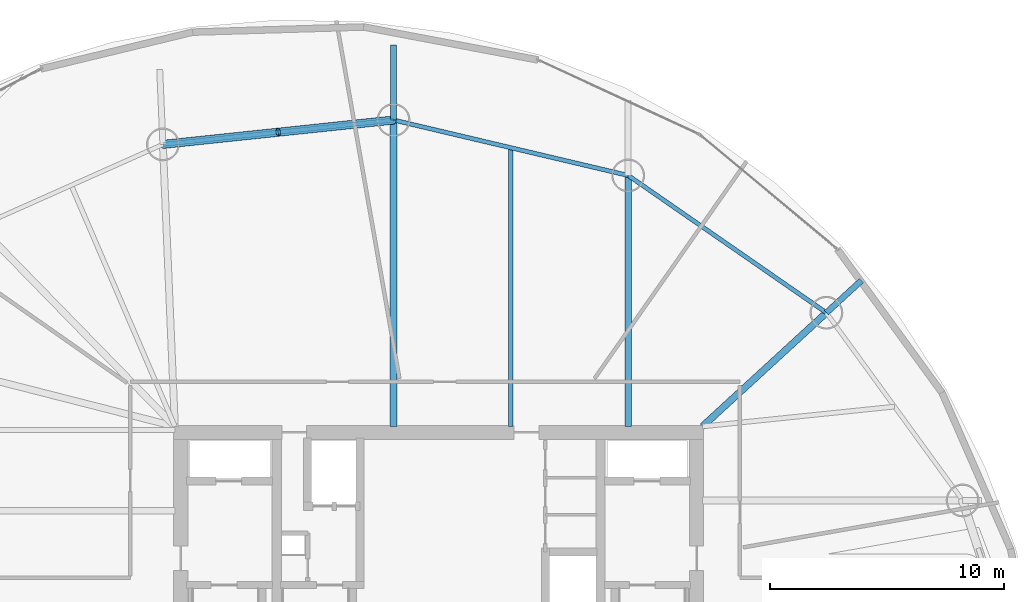
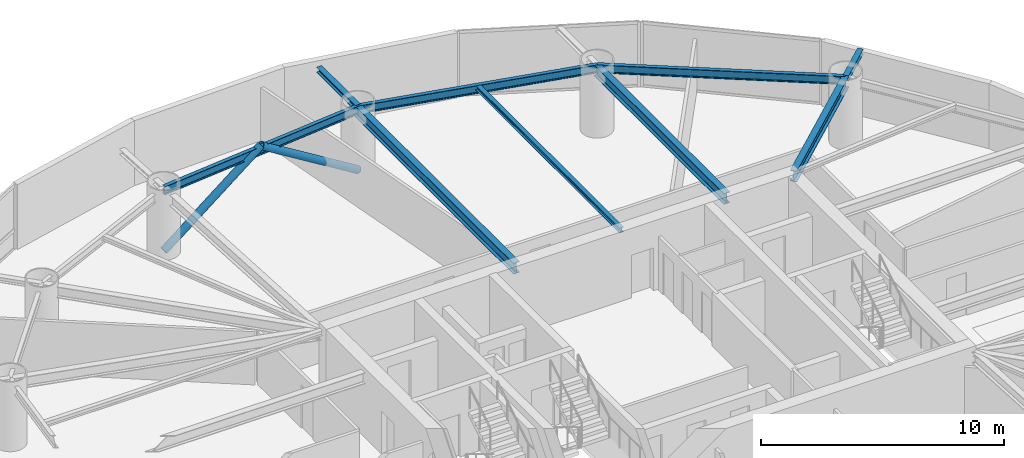
# One storey, part 15 of 23: 9 beams, 2 members.
"""IFC4 building model written with IfcOpenShell, lengths in metres."""

import ifcopenshell
import ifcopenshell.guid

model = None  # the IFC model being written
_history = None  # IfcOwnerHistory: only IFC2X3 demands one
_inside = {}  # id of a spatial element -> (the spatial element, [elements in it])
_under = {}  # id of a project, library or spatial element -> (it, [spatial elements below it])
_declared = {}  # id of a project -> (the project, [libraries it declares])
_typed = {}  # id of a type object -> (the type object, [elements of that type])
_made_of = {}  # id of a material, layer set ... -> (it, [elements and type objects made of it])


def new_model(schema):
    """Start an empty IFC model of exactly this schema.

    Asked for "IFC4X3", IfcOpenShell would pick the latest addendum, in which some entities
    have other attributes; the version numbers below select the first issue.
    IFC2X3 requires an IfcOwnerHistory on every rooted entity: one is made here for all.
    """
    global model, _history
    if schema == "IFC4X3":
        model = ifcopenshell.file(schema_version=(4, 3, 0, 0))
    else:
        model = ifcopenshell.file(schema=schema)
    _inside.clear()
    _under.clear()
    _declared.clear()
    _typed.clear()
    _made_of.clear()
    _history = None
    if model.schema == "IFC2X3":
        org = make("IfcOrganization", Name="unknown")
        user = make(
            "IfcPersonAndOrganization",
            ThePerson=make("IfcPerson", FamilyName="unknown"),
            TheOrganization=org,
        )
        app = make(
            "IfcApplication",
            ApplicationDeveloper=org,
            Version="unknown",
            ApplicationFullName="unknown",
            ApplicationIdentifier="unknown",
        )
        _history = make(
            "IfcOwnerHistory",
            OwningUser=user,
            OwningApplication=app,
            ChangeAction="ADDED",
            CreationDate=0,
        )
    return model


def make(cls, **values):
    """One entity of the class cls with the attributes given. An attribute that is None is left unset."""
    return model.create_entity(
        cls, **{name: value for name, value in values.items() if value is not None}
    )


def rooted(cls, **values):
    """An entity with a GlobalId (a new one), such as an element, a storey or a relation."""
    return make(cls, GlobalId=ifcopenshell.guid.new(), OwnerHistory=_history, **values)


def si_unit(unit_type, name, prefix=None):
    """IfcSIUnit, for example si_unit("LENGTHUNIT", "METRE", prefix="MILLI")."""
    return make("IfcSIUnit", UnitType=unit_type, Prefix=prefix, Name=name)


def assignment(units):
    """IfcUnitAssignment: the units of a project."""
    return None if units is None else make("IfcUnitAssignment", Units=units)


def point(xyz):
    """IfcCartesianPoint."""
    return None if xyz is None else make("IfcCartesianPoint", Coordinates=xyz)


def direction(xyz):
    """IfcDirection."""
    return None if xyz is None else make("IfcDirection", DirectionRatios=xyz)


def frame(location, z_axis=None, x_axis=None):
    """IfcAxis2Placement3D, a coordinate frame: its origin and axes. An axis left out is left unset."""
    return make(
        "IfcAxis2Placement3D",
        Location=point(location),
        Axis=direction(z_axis),
        RefDirection=direction(x_axis),
    )


def frame_2d(location, x_axis=None):
    """IfcAxis2Placement2D, a coordinate frame in the plane: its origin and x axis."""
    return make(
        "IfcAxis2Placement2D", Location=point(location), RefDirection=direction(x_axis)
    )


def origin():
    """The frame at (0, 0, 0) with its axes left unset."""
    return frame((0.0, 0.0, 0.0))


def origin_2d():
    """The frame at (0, 0) in the plane with its x axis left unset."""
    return frame_2d((0.0, 0.0))


def place(relative_to, where):
    """IfcLocalPlacement: puts the frame where relative to a parent placement (None: the world)."""
    return make(
        "IfcLocalPlacement", PlacementRelTo=relative_to, RelativePlacement=where
    )


def context(
    kind, dimensions, precision=None, world=None, true_north=None, identifier=None
):
    """IfcGeometricRepresentationContext, for example the 3D "Model" context."""
    return make(
        "IfcGeometricRepresentationContext",
        ContextIdentifier=identifier,
        ContextType=kind,
        CoordinateSpaceDimension=dimensions,
        Precision=precision,
        WorldCoordinateSystem=world,
        TrueNorth=true_north,
    )


def subcontext(parent, identifier, kind, view, scale=None):
    """IfcGeometricRepresentationSubContext, for example "Body" below "Model"."""
    return make(
        "IfcGeometricRepresentationSubContext",
        ContextIdentifier=identifier,
        ContextType=kind,
        ParentContext=parent,
        TargetScale=scale,
        TargetView=view,
    )


def project(units=None, contexts=None):
    """IfcProject with its units and contexts."""
    return rooted(
        "IfcProject",
        Name="project",
        RepresentationContexts=contexts,
        UnitsInContext=assignment(units),
    )


def spatial(cls, under=None, at=None, **own):
    """A site, building, storey or space (cls), placed at a placement, below another one or the project."""
    s = rooted(cls, ObjectPlacement=at, **own)
    if under is not None:
        _under.setdefault(under.id(), (under, []))[1].append(s)
    return s


def profile(cls, at=None, kind="AREA", **sizes):
    """A parametric profile (cls). Its sizes go by their IFC names, for example OverallWidth=200.0."""
    return make(cls, ProfileType=kind, Position=at, **sizes)


def hollow_circle(**sizes):
    """IfcCircleHollowProfileDef."""
    return profile("IfcCircleHollowProfileDef", **sizes)


def i_section(**sizes):
    """IfcIShapeProfileDef."""
    return profile("IfcIShapeProfileDef", **sizes)


def extrude(swept, where, along, depth):
    """IfcExtrudedAreaSolid: the profile swept, set in the frame where, extruded along a direction by depth."""
    return make(
        "IfcExtrudedAreaSolid",
        SweptArea=swept,
        Position=where,
        ExtrudedDirection=direction(along),
        Depth=depth,
    )


def shape(context_of_items, identifier, shape_type, items):
    """IfcShapeRepresentation: the items that make up one representation, for example the "Body"."""
    return make(
        "IfcShapeRepresentation",
        ContextOfItems=context_of_items,
        RepresentationIdentifier=identifier,
        RepresentationType=shape_type,
        Items=items,
    )


def material(Name=None, Category=None):
    """IfcMaterial."""
    return make("IfcMaterial", Name=Name, Category=Category)


def material_profile(
    of_material, cross_section, Name=None, Category=None, Priority=None
):
    """IfcMaterialProfile: a cross section and its material."""
    return make(
        "IfcMaterialProfile",
        Name=Name,
        Material=of_material,
        Profile=cross_section,
        Priority=Priority,
        Category=Category,
    )


def profile_set(profiles, Name=None, composite=None):
    """IfcMaterialProfileSet."""
    return make(
        "IfcMaterialProfileSet",
        Name=Name,
        MaterialProfiles=profiles,
        CompositeProfile=composite,
    )


def made_of(thing, what):
    """Note that an element or type object is made of a material, layer set ...; save() writes the relation."""
    if what is not None:
        _made_of.setdefault(what.id(), (what, []))[1].append(thing)
    return thing


def type_object(cls, material=None, **own):
    """A type object (cls), such as IfcWallType, which elements share."""
    return made_of(rooted(cls, **own), material)


def element(
    cls,
    number,
    at=None,
    inside=None,
    cuts=None,
    type_object=None,
    material=None,
    context=None,
    identifier="Body",
    shape_type=None,
    held_by="IfcProductDefinitionShape",
    body=None,
    shapes=None,
    **own,
):
    """One element of the class cls, such as IfcWall. Its Tag is "e" and its number.

    at: its placement. inside: the storey or other place that contains it. cuts: it is an
    opening in that element (IfcRelVoidsElement). A single representation is given by context,
    identifier, shape_type and body (its items); several are given by shapes. held_by: the class
    of the entity that holds the representations. save() writes the other relations.
    """
    e = rooted(cls, Tag="e%d" % number, ObjectPlacement=at, **own)
    if body is not None:
        shapes = [shape(context, identifier, shape_type, body)]
    if shapes is not None:
        e.Representation = make(held_by, Representations=shapes)
    if inside is not None:
        _inside.setdefault(inside.id(), (inside, []))[1].append(e)
    if cuts is not None:
        rooted(
            "IfcRelVoidsElement", RelatingBuildingElement=cuts, RelatedOpeningElement=e
        )
    if type_object is not None:
        _typed.setdefault(type_object.id(), (type_object, []))[1].append(e)
    return made_of(e, material)


def aggregate(whole, parts):
    """IfcRelAggregates: a whole, such as a stair, and the parts it consists of."""
    return rooted("IfcRelAggregates", RelatingObject=whole, RelatedObjects=parts)


def save(model, path):
    """Write the relations noted so far, then the file.

    IfcRelAggregates (storeys below a building ...), IfcRelContainedInSpatialStructure (elements
    in a storey), IfcRelDefinesByType, IfcRelAssociatesMaterial and IfcRelDeclares: one each for
    every whole, place, type object, material and project.
    """
    for whole, parts in _under.values():
        aggregate(whole, parts)
    for where, things in _inside.values():
        rooted(
            "IfcRelContainedInSpatialStructure",
            RelatedElements=things,
            RelatingStructure=where,
        )
    for kind, things in _typed.values():
        rooted("IfcRelDefinesByType", RelatedObjects=things, RelatingType=kind)
    for what, things in _made_of.values():
        rooted("IfcRelAssociatesMaterial", RelatedObjects=things, RelatingMaterial=what)
    for by, libraries in _declared.values():
        rooted("IfcRelDeclares", RelatingContext=by, RelatedDefinitions=libraries)
    model.write(path)


model = new_model("IFC4")

# Units and contexts
model_context = context("Model", 3, precision=1e-05, world=origin(), true_north=direction((0.0, 1.0)))
body_context = subcontext(model_context, "Body", "Model", "MODEL_VIEW")
ifc_project = project(units=[si_unit("LENGTHUNIT", "METRE"), si_unit("AREAUNIT", "SQUARE_METRE"), si_unit("VOLUMEUNIT", "CUBIC_METRE"), si_unit("PLANEANGLEUNIT", "RADIAN"), si_unit("MASSUNIT", "GRAM", prefix="KILO")], contexts=[model_context])

# Site, building, storey
site_placement = place(None, origin())
site = spatial("IfcSite", under=ifc_project, at=site_placement, CompositionType="ELEMENT")
building_placement = place(site_placement, origin())
building = spatial("IfcBuilding", under=site, at=building_placement, Name="Bramvorn Convention Spire", CompositionType="ELEMENT")
storey_placement = place(building_placement, frame((0.0, 0.0, 158.800048828125)))
storey = spatial("IfcBuildingStorey", under=building, at=storey_placement, Name="L40", CompositionType="ELEMENT", Elevation=158.800048828125)

# Beams
ifc_material = material(Name="Steel CSA G40.21 Grade 350 (350W)", Category="steel")
ifc_material_profile_1 = material_profile(ifc_material, i_section(OverallWidth=0.201904296875, OverallDepth=0.2470703125, WebThickness=0.00732421875, FlangeThickness=0.010986328125, FilletRadius=0.011962890625, at=origin_2d()))
ifc_profile_set_1 = profile_set([ifc_material_profile_1], Name="Steel CSA G40.21 Grade 350 (350W) - W250X49")
beam_type_1 = type_object("IfcBeamType", Name="BM-W250X49", PredefinedType="JOIST", material=ifc_profile_set_1)
beam_1_placement = place(storey_placement, frame((41.079345703125, 33.449951171875, 3.136474609375), z_axis=(0.0, 1.0, 0.0), x_axis=(-1.0, 0.0, 0.0)))
element("IfcBeam", 1, at=beam_1_placement, inside=storey, type_object=beam_type_1, Name="L40 composite floor joist 05", PredefinedType="JOIST", context=body_context, shape_type="SweptSolid", body=[
    extrude(i_section(OverallWidth=0.201904296875, OverallDepth=0.2470703125, WebThickness=0.00732421875, FlangeThickness=0.010986328125, FilletRadius=0.011962890625, at=origin_2d()), origin(), (0.0, 0.0, 1.0), 11.8857421875),
])
ifc_material_profile_2 = material_profile(ifc_material, i_section(OverallWidth=0.25390625, OverallDepth=0.2529296875, WebThickness=0.008544921875, FlangeThickness=0.01416015625, FilletRadius=0.011962890625, at=origin_2d()))
ifc_profile_set_2 = profile_set([ifc_material_profile_2], Name="Steel CSA G40.21 Grade 350 (350W) - W250X73")
beam_type_2 = type_object("IfcBeamType", Name="BM-W250X73", PredefinedType="BEAM", material=ifc_profile_set_2)
beam_2_placement = place(storey_placement, frame((54.534912109375, 38.299072265625, 3.133544921875), z_axis=(0.736839360855, 0.676067863675, 0.0), x_axis=(-0.676067863675, 0.736839360855, 0.0)))
element("IfcBeam", 2, at=beam_2_placement, inside=storey, type_object=beam_type_2, Name="L40 slab-edge cantilever tip beam MC04", PredefinedType="BEAM", context=body_context, shape_type="SweptSolid", body=[
    extrude(i_section(OverallWidth=0.25390625, OverallDepth=0.2529296875, WebThickness=0.008544921875, FlangeThickness=0.01416015625, FilletRadius=0.011962890625, at=origin_2d()), origin(), (0.0, 0.0, 1.0), 2.02880859375),
])
beam_3_placement = place(storey_placement, frame((36.075927734375, 46.517333984375, 3.133544921875), z_axis=(0.0, 1.0, 0.0), x_axis=(-1.0, 0.0, 0.0)))
element("IfcBeam", 3, at=beam_3_placement, inside=storey, type_object=beam_type_2, Name="L40 slab-edge cantilever tip beam MC06", PredefinedType="BEAM", context=body_context, shape_type="SweptSolid", body=[
    extrude(i_section(OverallWidth=0.25390625, OverallDepth=0.2529296875, WebThickness=0.008544921875, FlangeThickness=0.01416015625, FilletRadius=0.011962890625, at=origin_2d()), origin(), (0.0, 0.0, 1.0), 3.199951171875),
])
ifc_material_profile_3 = material_profile(ifc_material, i_section(OverallWidth=0.180908203125, OverallDepth=0.4169921875, WebThickness=0.010986328125, FlangeThickness=0.018310546875, FilletRadius=0.01611328125, at=origin_2d()))
ifc_profile_set_3 = profile_set([ifc_material_profile_3], Name="Steel CSA G40.21 Grade 350 (350W) - W410X85")
beam_type_3 = type_object("IfcBeamType", Name="BM-W410X85", PredefinedType="JOIST", material=ifc_profile_set_3)
beam_4_placement = place(storey_placement, frame((54.534912109375, 38.299072265625, 3.051513671875), z_axis=(-0.822033166673, 0.569439613032, 0.0), x_axis=(-0.569439613032, -0.822033166673, 0.0)))
element("IfcBeam", 4, at=beam_4_placement, inside=storey, type_object=beam_type_3, Name="L40 mega-column ring beam 04", PredefinedType="JOIST", context=body_context, shape_type="SweptSolid", body=[
    extrude(i_section(OverallWidth=0.180908203125, OverallDepth=0.4169921875, WebThickness=0.010986328125, FlangeThickness=0.018310546875, FilletRadius=0.01611328125, at=origin_2d()), origin(), (0.0, 0.0, 1.0), 10.281982421875),
])
beam_5_placement = place(storey_placement, frame((46.082763671875, 44.154052734375, 3.051513671875), z_axis=(-0.97322750491, 0.229843911572, 0.0), x_axis=(-0.229843911572, -0.97322750491, 0.0)))
element("IfcBeam", 5, at=beam_5_placement, inside=storey, type_object=beam_type_3, Name="L40 mega-column ring beam 05", PredefinedType="JOIST", context=body_context, shape_type="SweptSolid", body=[
    extrude(i_section(OverallWidth=0.180908203125, OverallDepth=0.4169921875, WebThickness=0.010986328125, FlangeThickness=0.018310546875, FilletRadius=0.01611328125, at=origin_2d()), origin(), (0.0, 0.0, 1.0), 10.2822265625),
])
beam_6_placement = place(storey_placement, frame((36.075927734375, 46.517333984375, 3.051513671875), z_axis=(-0.994473491975, -0.104987969596, 0.0), x_axis=(0.104987969596, -0.994473491975, 0.0)))
element("IfcBeam", 6, at=beam_6_placement, inside=storey, type_object=beam_type_3, Name="L40 mega-column ring beam 06", PredefinedType="JOIST", context=body_context, shape_type="SweptSolid", body=[
    extrude(i_section(OverallWidth=0.180908203125, OverallDepth=0.4169921875, WebThickness=0.010986328125, FlangeThickness=0.018310546875, FilletRadius=0.01611328125, at=origin_2d()), origin(), (0.0, 0.0, 1.0), 9.892333984375),
])
ifc_material_profile_4 = material_profile(ifc_material, i_section(OverallWidth=0.2919921875, OverallDepth=0.551025390625, WebThickness=0.01513671875, FlangeThickness=0.0244140625, FilletRadius=0.01904296875, at=origin_2d()))
ifc_profile_set_4 = profile_set([ifc_material_profile_4], Name="Steel CSA G40.21 Grade 350 (350W) - W530X182")
beam_type_4 = type_object("IfcBeamType", Name="BM-W530X182", PredefinedType="BEAM", material=ifc_profile_set_4)
beam_7_placement = place(storey_placement, frame((49.25, 33.449951171875, 2.984375), z_axis=(0.736833323746, 0.676074443399, 0.0), x_axis=(-0.676074443399, 0.736833323746, 0.0)))
element("IfcBeam", 7, at=beam_7_placement, inside=storey, type_object=beam_type_4, Name="L40 radial floor girder MC04", PredefinedType="BEAM", context=body_context, shape_type="SweptSolid", body=[
    extrude(i_section(OverallWidth=0.2919921875, OverallDepth=0.551025390625, WebThickness=0.01513671875, FlangeThickness=0.0244140625, FilletRadius=0.01904296875, at=origin_2d()), origin(), (0.0, 0.0, 1.0), 7.17236328125),
])
beam_8_placement = place(storey_placement, frame((46.082763671875, 33.449951171875, 2.984375), z_axis=(0.0, 1.0, 0.0), x_axis=(-1.0, 0.0, 0.0)))
element("IfcBeam", 8, at=beam_8_placement, inside=storey, type_object=beam_type_4, Name="L40 radial floor girder MC05", PredefinedType="BEAM", context=body_context, shape_type="SweptSolid", body=[
    extrude(i_section(OverallWidth=0.2919921875, OverallDepth=0.551025390625, WebThickness=0.01513671875, FlangeThickness=0.0244140625, FilletRadius=0.01904296875, at=origin_2d()), origin(), (0.0, 0.0, 1.0), 10.7041015625),
])
beam_9_placement = place(storey_placement, frame((36.075927734375, 33.449951171875, 2.984375), z_axis=(0.0, 1.0, 0.0), x_axis=(-1.0, 0.0, 0.0)))
element("IfcBeam", 9, at=beam_9_placement, inside=storey, type_object=beam_type_4, Name="L40 radial floor girder MC06", PredefinedType="BEAM", context=body_context, shape_type="SweptSolid", body=[
    extrude(i_section(OverallWidth=0.2919921875, OverallDepth=0.551025390625, WebThickness=0.01513671875, FlangeThickness=0.0244140625, FilletRadius=0.01904296875, at=origin_2d()), origin(), (0.0, 0.0, 1.0), 13.0673828125),
])

# Members
ifc_material_profile_5 = material_profile(ifc_material, hollow_circle(Radius=0.177734375, WallThickness=0.015869140625, at=origin_2d()))
ifc_profile_set_5 = profile_set([ifc_material_profile_5], Name="Steel CSA G40.21 Grade 350 (350W) - CHS356X16")
member_type = type_object("IfcMemberType", Name="MBR-CHS356X16", PredefinedType="BRACE", material=ifc_profile_set_5)
member_1_placement = place(storey_placement, frame((36.075927734375, 46.517333984375, 0.0), z_axis=(-0.830346972509, -0.087658725954, 0.550308870553), x_axis=(0.104985392894, -0.994473763997, 0.0)))
element("IfcMember", 10, at=member_1_placement, inside=storey, type_object=member_type, Name="L40 perimeter Gothic lancet brace 6A", PredefinedType="BRACE", context=body_context, shape_type="SweptSolid", body=[
    extrude(hollow_circle(Radius=0.177734375, WallThickness=0.015869140625, at=origin_2d()), origin(), (0.0, 0.0, 1.0), 5.924072265625),
])
member_2_placement = place(storey_placement, frame((26.23828125, 45.478759765625, 0.0), z_axis=(0.830334174424, 0.087661725766, 0.550327702937), x_axis=(-0.104990546424, 0.994473219932, 0.0)))
element("IfcMember", 11, at=member_2_placement, inside=storey, type_object=member_type, Name="L40 perimeter Gothic lancet brace 6B", PredefinedType="BRACE", context=body_context, shape_type="SweptSolid", body=[
    extrude(hollow_circle(Radius=0.177734375, WallThickness=0.015869140625, at=origin_2d()), origin(), (0.0, 0.0, 1.0), 5.923828125),
])

save(model, "model.ifc")
